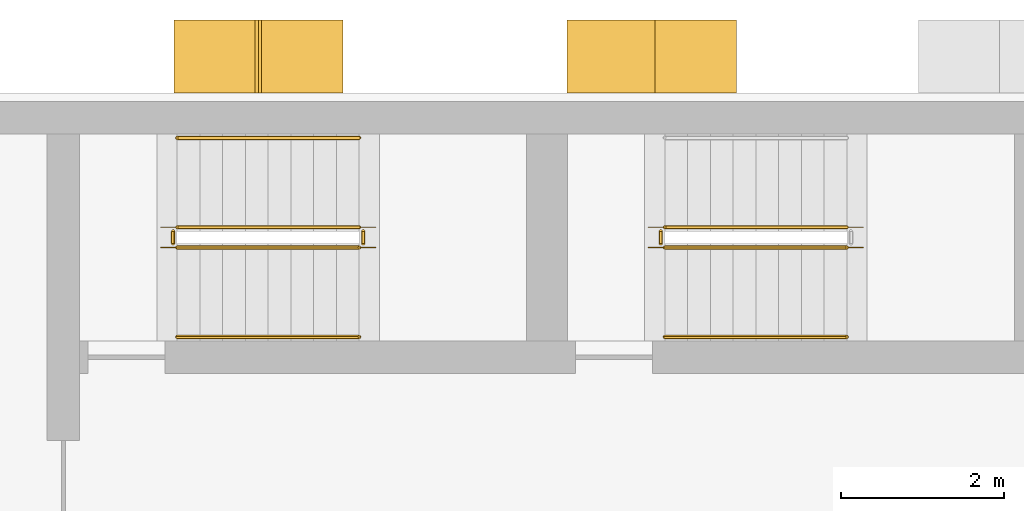
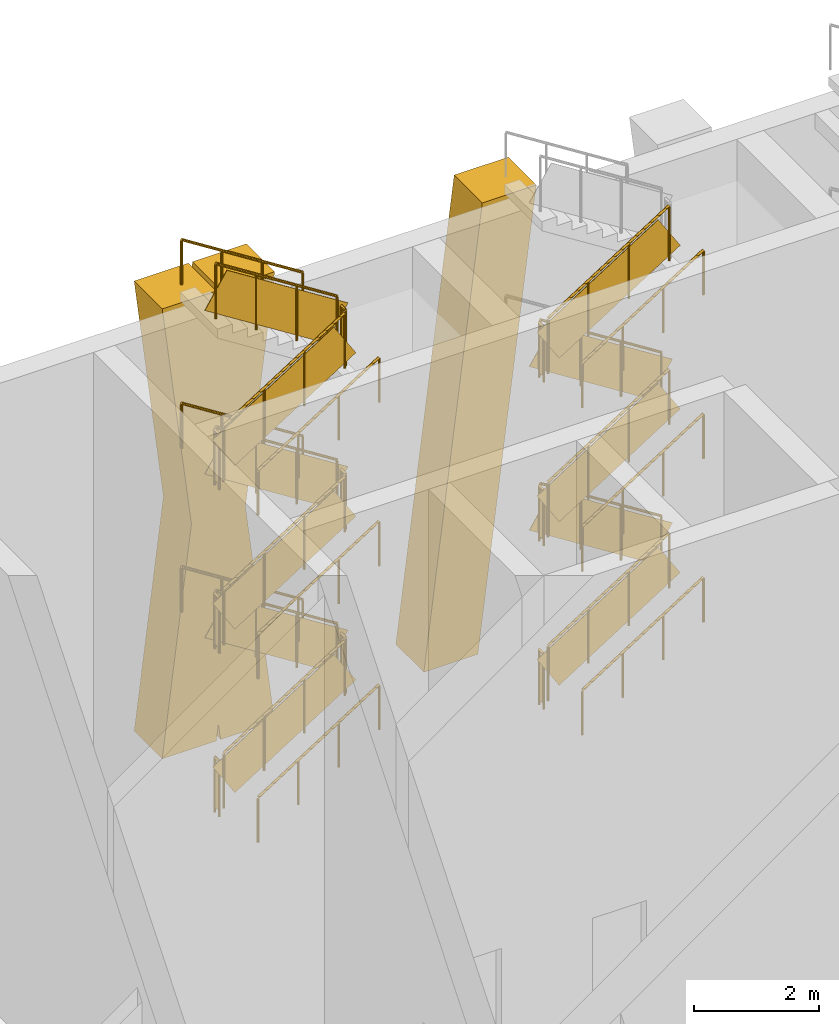
# One storey, part 7 of 9: 29 railings, 2 shading devices.
"""IFC4 building model written with IfcOpenShell, lengths in metres."""

from ifc_helpers import new_model, si_unit, direction, frame, origin, origin_2d, place, context, subcontext, project, spatial, polyline, rectangle, circle, outline, extrude, material, layer, layer_set, type_object, element, save


model = new_model("IFC4")

# Units and contexts
model_context = context("Model", 3, precision=1e-05, world=origin(), true_north=direction((0.0, 1.0)))
body_context = subcontext(model_context, "Body", "Model", "MODEL_VIEW")
ifc_project = project(units=[si_unit("LENGTHUNIT", "METRE"), si_unit("AREAUNIT", "SQUARE_METRE"), si_unit("VOLUMEUNIT", "CUBIC_METRE"), si_unit("PLANEANGLEUNIT", "RADIAN"), si_unit("MASSUNIT", "GRAM", prefix="KILO")], contexts=[model_context])

# Site, building, storey
site_placement = place(None, origin())
site = spatial("IfcSite", under=ifc_project, at=site_placement, CompositionType="ELEMENT")
building_placement = place(site_placement, origin())
building = spatial("IfcBuilding", under=site, at=building_placement, Name="Vidyagriha Tower", CompositionType="ELEMENT")
storey_placement = place(building_placement, frame((0.0, 0.0, 194.10009765625)))
storey = spatial("IfcBuildingStorey", under=building, at=storey_placement, Name="L51", CompositionType="ELEMENT", Elevation=194.10009765625)

# Shading devices
ifc_material_1 = material(Name="Precast concrete C40/50 with brick facing", Category="concrete")
ifc_layer_1 = layer(ifc_material_1, 1.0)
ifc_layer_set_1 = layer_set([ifc_layer_1], Name="Precast concrete C40/50 with brick facing")
shading_device_type_1 = type_object("IfcShadingDeviceType", Name="Brick-faced rear rib arm leaning 8 degrees", PredefinedType="USERDEFINED", material=ifc_layer_set_1)
shading_device_1_placement = place(storey_placement, frame((-1.1201171875, 20.449951171875, 0.0), z_axis=(0.0, 0.0, 1.0), x_axis=(-1.0, 0.0, 0.0)))
element("IfcShadingDevice", 1, at=shading_device_1_placement, inside=storey, type_object=shading_device_type_1, Name="Rear rib arm L51 R08.3b", ObjectType="BLADE FIN", PredefinedType="USERDEFINED", context=body_context, shape_type="SweptSolid", body=[
    extrude(outline(polyline([(1.080078125, 0.0), (2.080078125, 0.0), (1.0, 8.7998046875), (0.0, 8.7998046875), (1.080078125, 0.0)])), frame((0.0, 0.449951171875, 0.0), z_axis=(0.0, -1.0, 0.0), x_axis=(1.0, 0.0, 0.0)), (0.0, 0.0, 1.0), 0.89990234375),
])
ifc_material_2 = material(Name="Precast concrete C40/50 with brick facing", Category="concrete")
ifc_layer_2 = layer(ifc_material_2, 1.0)
ifc_layer_set_2 = layer_set([ifc_layer_2], Name="Precast concrete C40/50 with brick facing")
shading_device_type_2 = type_object("IfcShadingDeviceType", Name="Brick-faced rear rib forking 8 degrees", PredefinedType="USERDEFINED", material=ifc_layer_set_2)
shading_device_2_placement = place(storey_placement, frame((-5.9599609375, 20.449951171875, 0.0), z_axis=(0.0, 0.0, 1.0), x_axis=(-1.0, 0.0, 0.0)))
element("IfcShadingDevice", 2, at=shading_device_2_placement, inside=storey, type_object=shading_device_type_2, Name="Rear rib fork L51 R08.4a", ObjectType="BLADE FIN", PredefinedType="USERDEFINED", context=body_context, shape_type="SweptSolid", body=[
    extrude(outline(polyline([(1.0, 0.0), (1.0400390625, 0.32568359375), (1.080078125, 0.0), (2.080078125, 0.0), (1.5400390625, 4.39990234375), (2.080078125, 8.7998046875), (1.080078125, 8.7998046875), (1.0400390625, 8.47412109375), (1.0, 8.7998046875), (0.0, 8.7998046875), (0.5400390625, 4.39990234375), (0.0, 0.0), (1.0, 0.0)])), frame((0.0, 0.449951171875, 0.0), z_axis=(0.0, -1.0, 0.0), x_axis=(1.0, 0.0, 0.0)), (0.0, 0.0, 1.0), 0.89990234375),
])

# Railings
ifc_material_3 = material(Name="Steel ASTM A500 Grade C", Category="steel")
railing_type_1 = type_object("IfcRailingType", Name="Stair guard 1100 mm, steel balustrade", PredefinedType="GUARDRAIL", material=ifc_material_3)
railing_1_placement = place(storey_placement, frame((-8.0, 18.10009765625, 0.177734375)))
element("IfcRailing", 3, at=railing_1_placement, inside=storey, type_object=railing_type_1, Name="L51 ST1 stair guard 1", PredefinedType="GUARDRAIL", context=body_context, shape_type="SweptSolid", body=[
    extrude(circle(Radius=0.02392578125, at=origin_2d()), frame((0.0, 0.0, 1.076171875), z_axis=(0.8442293374, 0.0, 0.53598211339), x_axis=(0.0, 1.0, 0.0)), (0.0, 0.0, 1.0), 2.6533203125),
    extrude(circle(Radius=0.02099609375, at=origin_2d()), origin(), (0.0, 0.0, 1.0), 1.052001953125),
    extrude(circle(Radius=0.02099609375, at=origin_2d()), frame((0.74658203125, 0.0, 0.47412109375)), (0.0, 0.0, 1.0), 1.052001953125),
    extrude(circle(Radius=0.02099609375, at=origin_2d()), frame((1.493408203125, 0.0, 0.947998046875)), (0.0, 0.0, 1.0), 1.052001953125),
    extrude(circle(Radius=0.02099609375, at=origin_2d()), frame((2.239990234375, 0.0, 1.422119140625)), (0.0, 0.0, 1.0), 1.052001953125),
    extrude(rectangle(XDim=0.010009765625, YDim=0.761474609375, at=origin_2d()), frame((0.0, 0.0, 0.551025390625), z_axis=(0.8442293374, 0.0, 0.53598211339), x_axis=(0.0, 1.0, 0.0)), (0.0, 0.0, 1.0), 2.6533203125),
])
railing_2_placement = place(storey_placement, frame((-5.7099609375, 18.14990234375, 1.599853515625)))
element("IfcRailing", 4, at=railing_2_placement, inside=storey, type_object=railing_type_1, Name="L51 ST1 stair guard 2", PredefinedType="GUARDRAIL", context=body_context, shape_type="SweptSolid", body=[
    extrude(circle(Radius=0.02392578125, at=origin_2d()), frame((0.0, 0.0, 1.076171875), z_axis=(0.0, 1.0, 0.0), x_axis=(-1.0, 0.0, 0.0)), (0.0, 0.0, 1.0), 0.150146484375),
    extrude(circle(Radius=0.02099609375, at=origin_2d()), origin(), (0.0, 0.0, 1.0), 1.052001953125),
    extrude(circle(Radius=0.02099609375, at=origin_2d()), frame((0.0, 0.150146484375, 0.0)), (0.0, 0.0, 1.0), 1.052001953125),
    extrude(rectangle(XDim=0.010009765625, YDim=0.902099609375, at=origin_2d()), frame((0.0, 0.0, 0.551025390625), z_axis=(0.0, 1.0, 0.0), x_axis=(-1.0, 0.0, 0.0)), (0.0, 0.0, 1.0), 0.150146484375),
])
railing_3_placement = place(storey_placement, frame((-5.760009765625, 18.35009765625, 1.777587890625)))
element("IfcRailing", 5, at=railing_3_placement, inside=storey, type_object=railing_type_1, Name="L51 ST1 stair guard 3", PredefinedType="GUARDRAIL", context=body_context, shape_type="SweptSolid", body=[
    extrude(circle(Radius=0.02392578125, at=origin_2d()), frame((0.0, 0.0, 1.076171875), z_axis=(-0.84418770128, 0.0, 0.536047689118), x_axis=(0.0, -1.0, 0.0)), (0.0, 0.0, 1.0), 2.6533203125),
    extrude(circle(Radius=0.02099609375, at=origin_2d()), origin(), (0.0, 0.0, 1.0), 1.052001953125),
    extrude(circle(Radius=0.02099609375, at=origin_2d()), frame((-0.74658203125, 0.0, 0.47412109375)), (0.0, 0.0, 1.0), 1.052001953125),
    extrude(circle(Radius=0.02099609375, at=origin_2d()), frame((-1.493408203125, 0.0, 0.9482421875)), (0.0, 0.0, 1.0), 1.052001953125),
    extrude(circle(Radius=0.02099609375, at=origin_2d()), frame((-2.239990234375, 0.0, 1.42236328125)), (0.0, 0.0, 1.0), 1.052001953125),
    extrude(rectangle(XDim=0.010009765625, YDim=0.761474609375, at=origin_2d()), frame((0.0, 0.0, 0.551025390625), z_axis=(-0.84418770128, 0.0, 0.536047689118), x_axis=(0.0, -1.0, 0.0)), (0.0, 0.0, 1.0), 2.6533203125),
])
railing_4_placement = place(storey_placement, frame((-8.050048828125, 18.14990234375, 3.199951171875)))
element("IfcRailing", 6, at=railing_4_placement, inside=storey, type_object=railing_type_1, Name="L51 ST1 stair guard 4", PredefinedType="GUARDRAIL", context=body_context, shape_type="SweptSolid", body=[
    extrude(circle(Radius=0.02392578125, at=origin_2d()), frame((0.0, 0.0, 1.076171875), z_axis=(0.0, 1.0, 0.0), x_axis=(-1.0, 0.0, 0.0)), (0.0, 0.0, 1.0), 0.150146484375),
    extrude(circle(Radius=0.02099609375, at=origin_2d()), origin(), (0.0, 0.0, 1.0), 1.052001953125),
    extrude(circle(Radius=0.02099609375, at=origin_2d()), frame((0.0, 0.150146484375, 0.0)), (0.0, 0.0, 1.0), 1.052001953125),
    extrude(rectangle(XDim=0.010009765625, YDim=0.902099609375, at=origin_2d()), frame((0.0, 0.0, 0.551025390625), z_axis=(0.0, 1.0, 0.0), x_axis=(-1.0, 0.0, 0.0)), (0.0, 0.0, 1.0), 0.150146484375),
])
railing_5_placement = place(storey_placement, frame((-8.0, 18.10009765625, 3.377685546875)))
element("IfcRailing", 7, at=railing_5_placement, inside=storey, type_object=railing_type_1, Name="L51 ST1 stair guard 5", PredefinedType="GUARDRAIL", context=body_context, shape_type="SweptSolid", body=[
    extrude(circle(Radius=0.02392578125, at=origin_2d()), frame((0.0, 0.0, 1.076171875), z_axis=(0.8442293374, 0.0, 0.53598211339), x_axis=(0.0, 1.0, 0.0)), (0.0, 0.0, 1.0), 2.6533203125),
    extrude(circle(Radius=0.02099609375, at=origin_2d()), origin(), (0.0, 0.0, 1.0), 1.052001953125),
    extrude(circle(Radius=0.02099609375, at=origin_2d()), frame((0.74658203125, 0.0, 0.47412109375)), (0.0, 0.0, 1.0), 1.052001953125),
    extrude(circle(Radius=0.02099609375, at=origin_2d()), frame((1.493408203125, 0.0, 0.947998046875)), (0.0, 0.0, 1.0), 1.052001953125),
    extrude(circle(Radius=0.02099609375, at=origin_2d()), frame((2.239990234375, 0.0, 1.422119140625)), (0.0, 0.0, 1.0), 1.052001953125),
    extrude(rectangle(XDim=0.010009765625, YDim=0.761474609375, at=origin_2d()), frame((0.0, 0.0, 0.551025390625), z_axis=(0.8442293374, 0.0, 0.53598211339), x_axis=(0.0, 1.0, 0.0)), (0.0, 0.0, 1.0), 2.6533203125),
])
railing_6_placement = place(storey_placement, frame((-5.7099609375, 18.14990234375, 4.7998046875)))
element("IfcRailing", 8, at=railing_6_placement, inside=storey, type_object=railing_type_1, Name="L51 ST1 stair guard 6", PredefinedType="GUARDRAIL", context=body_context, shape_type="SweptSolid", body=[
    extrude(circle(Radius=0.02392578125, at=origin_2d()), frame((0.0, 0.0, 1.076171875), z_axis=(0.0, 1.0, 0.0), x_axis=(-1.0, 0.0, 0.0)), (0.0, 0.0, 1.0), 0.150146484375),
    extrude(circle(Radius=0.02099609375, at=origin_2d()), origin(), (0.0, 0.0, 1.0), 1.052001953125),
    extrude(circle(Radius=0.02099609375, at=origin_2d()), frame((0.0, 0.150146484375, 0.0)), (0.0, 0.0, 1.0), 1.052001953125),
    extrude(rectangle(XDim=0.010009765625, YDim=0.902099609375, at=origin_2d()), frame((0.0, 0.0, 0.551025390625), z_axis=(0.0, 1.0, 0.0), x_axis=(-1.0, 0.0, 0.0)), (0.0, 0.0, 1.0), 0.150146484375),
])
railing_7_placement = place(storey_placement, frame((-5.760009765625, 18.35009765625, 4.977783203125)))
element("IfcRailing", 9, at=railing_7_placement, inside=storey, type_object=railing_type_1, Name="L51 ST1 stair guard 7", PredefinedType="GUARDRAIL", context=body_context, shape_type="SweptSolid", body=[
    extrude(circle(Radius=0.02392578125, at=origin_2d()), frame((0.0, 0.0, 1.076171875), z_axis=(-0.8442293374, 0.0, 0.53598211339), x_axis=(0.0, -1.0, 0.0)), (0.0, 0.0, 1.0), 2.6533203125),
    extrude(circle(Radius=0.02099609375, at=origin_2d()), origin(), (0.0, 0.0, 1.0), 1.052001953125),
    extrude(circle(Radius=0.02099609375, at=origin_2d()), frame((-0.74658203125, 0.0, 0.47412109375)), (0.0, 0.0, 1.0), 1.052001953125),
    extrude(circle(Radius=0.02099609375, at=origin_2d()), frame((-1.493408203125, 0.0, 0.947998046875)), (0.0, 0.0, 1.0), 1.052001953125),
    extrude(circle(Radius=0.02099609375, at=origin_2d()), frame((-2.239990234375, 0.0, 1.422119140625)), (0.0, 0.0, 1.0), 1.052001953125),
    extrude(rectangle(XDim=0.010009765625, YDim=0.761474609375, at=origin_2d()), frame((0.0, 0.0, 0.551025390625), z_axis=(-0.8442293374, 0.0, 0.53598211339), x_axis=(0.0, -1.0, 0.0)), (0.0, 0.0, 1.0), 2.6533203125),
])
railing_8_placement = place(storey_placement, frame((-8.050048828125, 18.14990234375, 6.39990234375)))
element("IfcRailing", 10, at=railing_8_placement, inside=storey, type_object=railing_type_1, Name="L51 ST1 stair guard 8", PredefinedType="GUARDRAIL", context=body_context, shape_type="SweptSolid", body=[
    extrude(circle(Radius=0.02392578125, at=origin_2d()), frame((0.0, 0.0, 1.076171875), z_axis=(0.0, 1.0, 0.0), x_axis=(-1.0, 0.0, 0.0)), (0.0, 0.0, 1.0), 0.150146484375),
    extrude(circle(Radius=0.02099609375, at=origin_2d()), origin(), (0.0, 0.0, 1.0), 1.052001953125),
    extrude(circle(Radius=0.02099609375, at=origin_2d()), frame((0.0, 0.150146484375, 0.0)), (0.0, 0.0, 1.0), 1.052001953125),
    extrude(rectangle(XDim=0.010009765625, YDim=0.902099609375, at=origin_2d()), frame((0.0, 0.0, 0.551025390625), z_axis=(0.0, 1.0, 0.0), x_axis=(-1.0, 0.0, 0.0)), (0.0, 0.0, 1.0), 0.150146484375),
])
railing_9_placement = place(storey_placement, frame((-8.0, 18.10009765625, 6.57763671875)))
element("IfcRailing", 11, at=railing_9_placement, inside=storey, type_object=railing_type_1, Name="L51 ST1 stair guard 9", PredefinedType="GUARDRAIL", context=body_context, shape_type="SweptSolid", body=[
    extrude(circle(Radius=0.02392578125, at=origin_2d()), frame((0.0, 0.0, 1.076171875), z_axis=(0.84418770128, 0.0, 0.536047689118), x_axis=(0.0, 1.0, 0.0)), (0.0, 0.0, 1.0), 2.6533203125),
    extrude(circle(Radius=0.02099609375, at=origin_2d()), origin(), (0.0, 0.0, 1.0), 1.052001953125),
    extrude(circle(Radius=0.02099609375, at=origin_2d()), frame((0.74658203125, 0.0, 0.47412109375)), (0.0, 0.0, 1.0), 1.052001953125),
    extrude(circle(Radius=0.02099609375, at=origin_2d()), frame((1.493408203125, 0.0, 0.9482421875)), (0.0, 0.0, 1.0), 1.052001953125),
    extrude(circle(Radius=0.02099609375, at=origin_2d()), frame((2.239990234375, 0.0, 1.42236328125)), (0.0, 0.0, 1.0), 1.052001953125),
    extrude(rectangle(XDim=0.010009765625, YDim=0.761474609375, at=origin_2d()), frame((0.0, 0.0, 0.551025390625), z_axis=(0.84418770128, 0.0, 0.536047689118), x_axis=(0.0, 1.0, 0.0)), (0.0, 0.0, 1.0), 2.6533203125),
])
railing_10_placement = place(storey_placement, frame((-5.7099609375, 18.14990234375, 8.0)))
element("IfcRailing", 12, at=railing_10_placement, inside=storey, type_object=railing_type_1, Name="L51 ST1 stair guard 10", PredefinedType="GUARDRAIL", context=body_context, shape_type="SweptSolid", body=[
    extrude(circle(Radius=0.02392578125, at=origin_2d()), frame((0.0, 0.0, 1.076171875), z_axis=(0.0, 1.0, 0.0), x_axis=(-1.0, 0.0, 0.0)), (0.0, 0.0, 1.0), 0.150146484375),
    extrude(circle(Radius=0.02099609375, at=origin_2d()), origin(), (0.0, 0.0, 1.0), 1.052001953125),
    extrude(circle(Radius=0.02099609375, at=origin_2d()), frame((0.0, 0.150146484375, 0.0)), (0.0, 0.0, 1.0), 1.052001953125),
    extrude(rectangle(XDim=0.010009765625, YDim=0.902099609375, at=origin_2d()), frame((0.0, 0.0, 0.551025390625), z_axis=(0.0, 1.0, 0.0), x_axis=(-1.0, 0.0, 0.0)), (0.0, 0.0, 1.0), 0.150146484375),
])
railing_11_placement = place(storey_placement, frame((-5.760009765625, 18.35009765625, 8.177734375)))
element("IfcRailing", 13, at=railing_11_placement, inside=storey, type_object=railing_type_1, Name="L51 ST1 stair guard 11", PredefinedType="GUARDRAIL", context=body_context, shape_type="SweptSolid", body=[
    extrude(circle(Radius=0.02392578125, at=origin_2d()), frame((0.0, 0.0, 1.076171875), z_axis=(-0.8442293374, 0.0, 0.53598211339), x_axis=(0.0, -1.0, 0.0)), (0.0, 0.0, 1.0), 2.6533203125),
    extrude(circle(Radius=0.02099609375, at=origin_2d()), origin(), (0.0, 0.0, 1.0), 1.052001953125),
    extrude(circle(Radius=0.02099609375, at=origin_2d()), frame((-0.74658203125, 0.0, 0.47412109375)), (0.0, 0.0, 1.0), 1.052001953125),
    extrude(circle(Radius=0.02099609375, at=origin_2d()), frame((-1.493408203125, 0.0, 0.947998046875)), (0.0, 0.0, 1.0), 1.052001953125),
    extrude(circle(Radius=0.02099609375, at=origin_2d()), frame((-2.239990234375, 0.0, 1.422119140625)), (0.0, 0.0, 1.0), 1.052001953125),
    extrude(rectangle(XDim=0.010009765625, YDim=0.761474609375, at=origin_2d()), frame((0.0, 0.0, 0.551025390625), z_axis=(-0.8442293374, 0.0, 0.53598211339), x_axis=(0.0, -1.0, 0.0)), (0.0, 0.0, 1.0), 2.6533203125),
])
railing_12_placement = place(storey_placement, frame((-8.050048828125, 18.14990234375, 0.0)))
element("IfcRailing", 14, at=railing_12_placement, inside=storey, type_object=railing_type_1, Name="L51 ST1 stair guard 12", PredefinedType="GUARDRAIL", context=body_context, shape_type="SweptSolid", body=[
    extrude(circle(Radius=0.02392578125, at=origin_2d()), frame((0.0, 0.0, 1.076171875), z_axis=(0.0, 1.0, 0.0), x_axis=(-1.0, 0.0, 0.0)), (0.0, 0.0, 1.0), 0.150146484375),
    extrude(circle(Radius=0.02099609375, at=origin_2d()), origin(), (0.0, 0.0, 1.0), 1.052001953125),
    extrude(circle(Radius=0.02099609375, at=origin_2d()), frame((0.0, 0.150146484375, 0.0)), (0.0, 0.0, 1.0), 1.052001953125),
    extrude(rectangle(XDim=0.010009765625, YDim=0.902099609375, at=origin_2d()), frame((0.0, 0.0, 0.551025390625), z_axis=(0.0, 1.0, 0.0), x_axis=(-1.0, 0.0, 0.0)), (0.0, 0.0, 1.0), 0.150146484375),
])
railing_13_placement = place(storey_placement, frame((-2.0, 18.10009765625, 0.177734375)))
element("IfcRailing", 15, at=railing_13_placement, inside=storey, type_object=railing_type_1, Name="L51 ST2 stair guard 1", PredefinedType="GUARDRAIL", context=body_context, shape_type="SweptSolid", body=[
    extrude(circle(Radius=0.02392578125, at=origin_2d()), frame((0.0, 0.0, 1.076171875), z_axis=(0.8442293374, 0.0, 0.53598211339), x_axis=(0.0, 1.0, 0.0)), (0.0, 0.0, 1.0), 2.6533203125),
    extrude(circle(Radius=0.02099609375, at=origin_2d()), origin(), (0.0, 0.0, 1.0), 1.052001953125),
    extrude(circle(Radius=0.02099609375, at=origin_2d()), frame((0.74658203125, 0.0, 0.47412109375)), (0.0, 0.0, 1.0), 1.052001953125),
    extrude(circle(Radius=0.02099609375, at=origin_2d()), frame((1.493408203125, 0.0, 0.947998046875)), (0.0, 0.0, 1.0), 1.052001953125),
    extrude(circle(Radius=0.02099609375, at=origin_2d()), frame((2.239990234375, 0.0, 1.422119140625)), (0.0, 0.0, 1.0), 1.052001953125),
    extrude(rectangle(XDim=0.010009765625, YDim=0.761474609375, at=origin_2d()), frame((0.0, 0.0, 0.551025390625), z_axis=(0.8442293374, 0.0, 0.53598211339), x_axis=(0.0, 1.0, 0.0)), (0.0, 0.0, 1.0), 2.6533203125),
])
railing_14_placement = place(storey_placement, frame((0.239990234375, 18.35009765625, 1.777587890625)))
element("IfcRailing", 16, at=railing_14_placement, inside=storey, type_object=railing_type_1, Name="L51 ST2 stair guard 3", PredefinedType="GUARDRAIL", context=body_context, shape_type="SweptSolid", body=[
    extrude(circle(Radius=0.02392578125, at=origin_2d()), frame((0.0, 0.0, 1.076171875), z_axis=(-0.84418770128, 0.0, 0.536047689118), x_axis=(0.0, -1.0, 0.0)), (0.0, 0.0, 1.0), 2.6533203125),
    extrude(circle(Radius=0.02099609375, at=origin_2d()), origin(), (0.0, 0.0, 1.0), 1.052001953125),
    extrude(circle(Radius=0.02099609375, at=origin_2d()), frame((-0.74658203125, 0.0, 0.47412109375)), (0.0, 0.0, 1.0), 1.052001953125),
    extrude(circle(Radius=0.02099609375, at=origin_2d()), frame((-1.493408203125, 0.0, 0.9482421875)), (0.0, 0.0, 1.0), 1.052001953125),
    extrude(circle(Radius=0.02099609375, at=origin_2d()), frame((-2.239990234375, 0.0, 1.42236328125)), (0.0, 0.0, 1.0), 1.052001953125),
    extrude(rectangle(XDim=0.010009765625, YDim=0.761474609375, at=origin_2d()), frame((0.0, 0.0, 0.551025390625), z_axis=(-0.84418770128, 0.0, 0.536047689118), x_axis=(0.0, -1.0, 0.0)), (0.0, 0.0, 1.0), 2.6533203125),
])
railing_15_placement = place(storey_placement, frame((-2.050048828125, 18.14990234375, 3.199951171875)))
element("IfcRailing", 17, at=railing_15_placement, inside=storey, type_object=railing_type_1, Name="L51 ST2 stair guard 4", PredefinedType="GUARDRAIL", context=body_context, shape_type="SweptSolid", body=[
    extrude(circle(Radius=0.02392578125, at=origin_2d()), frame((0.0, 0.0, 1.076171875), z_axis=(0.0, 1.0, 0.0), x_axis=(-1.0, 0.0, 0.0)), (0.0, 0.0, 1.0), 0.150146484375),
    extrude(circle(Radius=0.02099609375, at=origin_2d()), origin(), (0.0, 0.0, 1.0), 1.052001953125),
    extrude(circle(Radius=0.02099609375, at=origin_2d()), frame((0.0, 0.150146484375, 0.0)), (0.0, 0.0, 1.0), 1.052001953125),
    extrude(rectangle(XDim=0.010009765625, YDim=0.902099609375, at=origin_2d()), frame((0.0, 0.0, 0.551025390625), z_axis=(0.0, 1.0, 0.0), x_axis=(-1.0, 0.0, 0.0)), (0.0, 0.0, 1.0), 0.150146484375),
])
railing_16_placement = place(storey_placement, frame((-2.0, 18.10009765625, 3.377685546875)))
element("IfcRailing", 18, at=railing_16_placement, inside=storey, type_object=railing_type_1, Name="L51 ST2 stair guard 5", PredefinedType="GUARDRAIL", context=body_context, shape_type="SweptSolid", body=[
    extrude(circle(Radius=0.02392578125, at=origin_2d()), frame((0.0, 0.0, 1.076171875), z_axis=(0.8442293374, 0.0, 0.53598211339), x_axis=(0.0, 1.0, 0.0)), (0.0, 0.0, 1.0), 2.6533203125),
    extrude(circle(Radius=0.02099609375, at=origin_2d()), origin(), (0.0, 0.0, 1.0), 1.052001953125),
    extrude(circle(Radius=0.02099609375, at=origin_2d()), frame((0.74658203125, 0.0, 0.47412109375)), (0.0, 0.0, 1.0), 1.052001953125),
    extrude(circle(Radius=0.02099609375, at=origin_2d()), frame((1.493408203125, 0.0, 0.947998046875)), (0.0, 0.0, 1.0), 1.052001953125),
    extrude(circle(Radius=0.02099609375, at=origin_2d()), frame((2.239990234375, 0.0, 1.422119140625)), (0.0, 0.0, 1.0), 1.052001953125),
    extrude(rectangle(XDim=0.010009765625, YDim=0.761474609375, at=origin_2d()), frame((0.0, 0.0, 0.551025390625), z_axis=(0.8442293374, 0.0, 0.53598211339), x_axis=(0.0, 1.0, 0.0)), (0.0, 0.0, 1.0), 2.6533203125),
])
railing_17_placement = place(storey_placement, frame((0.239990234375, 18.35009765625, 4.977783203125)))
element("IfcRailing", 19, at=railing_17_placement, inside=storey, type_object=railing_type_1, Name="L51 ST2 stair guard 7", PredefinedType="GUARDRAIL", context=body_context, shape_type="SweptSolid", body=[
    extrude(circle(Radius=0.02392578125, at=origin_2d()), frame((0.0, 0.0, 1.076171875), z_axis=(-0.8442293374, 0.0, 0.53598211339), x_axis=(0.0, -1.0, 0.0)), (0.0, 0.0, 1.0), 2.6533203125),
    extrude(circle(Radius=0.02099609375, at=origin_2d()), origin(), (0.0, 0.0, 1.0), 1.052001953125),
    extrude(circle(Radius=0.02099609375, at=origin_2d()), frame((-0.74658203125, 0.0, 0.47412109375)), (0.0, 0.0, 1.0), 1.052001953125),
    extrude(circle(Radius=0.02099609375, at=origin_2d()), frame((-1.493408203125, 0.0, 0.947998046875)), (0.0, 0.0, 1.0), 1.052001953125),
    extrude(circle(Radius=0.02099609375, at=origin_2d()), frame((-2.239990234375, 0.0, 1.422119140625)), (0.0, 0.0, 1.0), 1.052001953125),
    extrude(rectangle(XDim=0.010009765625, YDim=0.761474609375, at=origin_2d()), frame((0.0, 0.0, 0.551025390625), z_axis=(-0.8442293374, 0.0, 0.53598211339), x_axis=(0.0, -1.0, 0.0)), (0.0, 0.0, 1.0), 2.6533203125),
])
railing_18_placement = place(storey_placement, frame((-2.050048828125, 18.14990234375, 6.39990234375)))
element("IfcRailing", 20, at=railing_18_placement, inside=storey, type_object=railing_type_1, Name="L51 ST2 stair guard 8", PredefinedType="GUARDRAIL", context=body_context, shape_type="SweptSolid", body=[
    extrude(circle(Radius=0.02392578125, at=origin_2d()), frame((0.0, 0.0, 1.076171875), z_axis=(0.0, 1.0, 0.0), x_axis=(-1.0, 0.0, 0.0)), (0.0, 0.0, 1.0), 0.150146484375),
    extrude(circle(Radius=0.02099609375, at=origin_2d()), origin(), (0.0, 0.0, 1.0), 1.052001953125),
    extrude(circle(Radius=0.02099609375, at=origin_2d()), frame((0.0, 0.150146484375, 0.0)), (0.0, 0.0, 1.0), 1.052001953125),
    extrude(rectangle(XDim=0.010009765625, YDim=0.902099609375, at=origin_2d()), frame((0.0, 0.0, 0.551025390625), z_axis=(0.0, 1.0, 0.0), x_axis=(-1.0, 0.0, 0.0)), (0.0, 0.0, 1.0), 0.150146484375),
])
railing_19_placement = place(storey_placement, frame((-2.0, 18.10009765625, 6.57763671875)))
element("IfcRailing", 21, at=railing_19_placement, inside=storey, type_object=railing_type_1, Name="L51 ST2 stair guard 9", PredefinedType="GUARDRAIL", context=body_context, shape_type="SweptSolid", body=[
    extrude(circle(Radius=0.02392578125, at=origin_2d()), frame((0.0, 0.0, 1.076171875), z_axis=(0.84418770128, 0.0, 0.536047689118), x_axis=(0.0, 1.0, 0.0)), (0.0, 0.0, 1.0), 2.6533203125),
    extrude(circle(Radius=0.02099609375, at=origin_2d()), origin(), (0.0, 0.0, 1.0), 1.052001953125),
    extrude(circle(Radius=0.02099609375, at=origin_2d()), frame((0.74658203125, 0.0, 0.47412109375)), (0.0, 0.0, 1.0), 1.052001953125),
    extrude(circle(Radius=0.02099609375, at=origin_2d()), frame((1.493408203125, 0.0, 0.9482421875)), (0.0, 0.0, 1.0), 1.052001953125),
    extrude(circle(Radius=0.02099609375, at=origin_2d()), frame((2.239990234375, 0.0, 1.42236328125)), (0.0, 0.0, 1.0), 1.052001953125),
    extrude(rectangle(XDim=0.010009765625, YDim=0.761474609375, at=origin_2d()), frame((0.0, 0.0, 0.551025390625), z_axis=(0.84418770128, 0.0, 0.536047689118), x_axis=(0.0, 1.0, 0.0)), (0.0, 0.0, 1.0), 2.6533203125),
])
railing_20_placement = place(storey_placement, frame((-2.050048828125, 18.14990234375, 0.0)))
element("IfcRailing", 22, at=railing_20_placement, inside=storey, type_object=railing_type_1, Name="L51 ST2 stair guard 12", PredefinedType="GUARDRAIL", context=body_context, shape_type="SweptSolid", body=[
    extrude(circle(Radius=0.02392578125, at=origin_2d()), frame((0.0, 0.0, 1.076171875), z_axis=(0.0, 1.0, 0.0), x_axis=(-1.0, 0.0, 0.0)), (0.0, 0.0, 1.0), 0.150146484375),
    extrude(circle(Radius=0.02099609375, at=origin_2d()), origin(), (0.0, 0.0, 1.0), 1.052001953125),
    extrude(circle(Radius=0.02099609375, at=origin_2d()), frame((0.0, 0.150146484375, 0.0)), (0.0, 0.0, 1.0), 1.052001953125),
    extrude(rectangle(XDim=0.010009765625, YDim=0.902099609375, at=origin_2d()), frame((0.0, 0.0, 0.551025390625), z_axis=(0.0, 1.0, 0.0), x_axis=(-1.0, 0.0, 0.0)), (0.0, 0.0, 1.0), 0.150146484375),
])
ifc_material_4 = material(Name="Steel ASTM A500 Grade C", Category="steel")
railing_type_2 = type_object("IfcRailingType", Name="Stair handrail 900 mm, steel", PredefinedType="HANDRAIL", material=ifc_material_4)
railing_21_placement = place(storey_placement, frame((-8.0, 17.0, 0.177734375)))
element("IfcRailing", 23, at=railing_21_placement, inside=storey, type_object=railing_type_2, Name="L51 ST1 stair handrail 1", PredefinedType="HANDRAIL", context=body_context, shape_type="SweptSolid", body=[
    extrude(circle(Radius=0.02392578125, at=origin_2d()), frame((0.0, 0.0, 0.8759765625), z_axis=(0.8442293374, 0.0, 0.53598211339), x_axis=(0.0, 1.0, 0.0)), (0.0, 0.0, 1.0), 2.6533203125),
    extrude(circle(Radius=0.02099609375, at=origin_2d()), origin(), (0.0, 0.0, 1.0), 0.851806640625),
    extrude(circle(Radius=0.02099609375, at=origin_2d()), frame((0.74658203125, 0.0, 0.47412109375)), (0.0, 0.0, 1.0), 0.851806640625),
    extrude(circle(Radius=0.02099609375, at=origin_2d()), frame((1.493408203125, 0.0, 0.947998046875)), (0.0, 0.0, 1.0), 0.851806640625),
    extrude(circle(Radius=0.02099609375, at=origin_2d()), frame((2.239990234375, 0.0, 1.422119140625)), (0.0, 0.0, 1.0), 0.851806640625),
])
railing_22_placement = place(storey_placement, frame((-5.760009765625, 19.449951171875, 1.777587890625)))
element("IfcRailing", 24, at=railing_22_placement, inside=storey, type_object=railing_type_2, Name="L51 ST1 stair handrail 2", PredefinedType="HANDRAIL", context=body_context, shape_type="SweptSolid", body=[
    extrude(circle(Radius=0.02392578125, at=origin_2d()), frame((0.0, 0.0, 0.8759765625), z_axis=(-0.84418770128, 0.0, 0.536047689118), x_axis=(0.0, -1.0, 0.0)), (0.0, 0.0, 1.0), 2.6533203125),
    extrude(circle(Radius=0.02099609375, at=origin_2d()), origin(), (0.0, 0.0, 1.0), 0.851806640625),
    extrude(circle(Radius=0.02099609375, at=origin_2d()), frame((-0.74658203125, 0.0, 0.47412109375)), (0.0, 0.0, 1.0), 0.851806640625),
    extrude(circle(Radius=0.02099609375, at=origin_2d()), frame((-1.493408203125, 0.0, 0.9482421875)), (0.0, 0.0, 1.0), 0.851806640625),
    extrude(circle(Radius=0.02099609375, at=origin_2d()), frame((-2.239990234375, 0.0, 1.42236328125)), (0.0, 0.0, 1.0), 0.851806640625),
])
railing_23_placement = place(storey_placement, frame((-8.0, 17.0, 3.377685546875)))
element("IfcRailing", 25, at=railing_23_placement, inside=storey, type_object=railing_type_2, Name="L51 ST1 stair handrail 3", PredefinedType="HANDRAIL", context=body_context, shape_type="SweptSolid", body=[
    extrude(circle(Radius=0.02392578125, at=origin_2d()), frame((0.0, 0.0, 0.8759765625), z_axis=(0.8442293374, 0.0, 0.53598211339), x_axis=(0.0, 1.0, 0.0)), (0.0, 0.0, 1.0), 2.6533203125),
    extrude(circle(Radius=0.02099609375, at=origin_2d()), origin(), (0.0, 0.0, 1.0), 0.851806640625),
    extrude(circle(Radius=0.02099609375, at=origin_2d()), frame((0.74658203125, 0.0, 0.47412109375)), (0.0, 0.0, 1.0), 0.851806640625),
    extrude(circle(Radius=0.02099609375, at=origin_2d()), frame((1.493408203125, 0.0, 0.947998046875)), (0.0, 0.0, 1.0), 0.851806640625),
    extrude(circle(Radius=0.02099609375, at=origin_2d()), frame((2.239990234375, 0.0, 1.422119140625)), (0.0, 0.0, 1.0), 0.851806640625),
])
railing_24_placement = place(storey_placement, frame((-5.760009765625, 19.449951171875, 4.977783203125)))
element("IfcRailing", 26, at=railing_24_placement, inside=storey, type_object=railing_type_2, Name="L51 ST1 stair handrail 4", PredefinedType="HANDRAIL", context=body_context, shape_type="SweptSolid", body=[
    extrude(circle(Radius=0.02392578125, at=origin_2d()), frame((0.0, 0.0, 0.8759765625), z_axis=(-0.8442293374, 0.0, 0.53598211339), x_axis=(0.0, -1.0, 0.0)), (0.0, 0.0, 1.0), 2.6533203125),
    extrude(circle(Radius=0.02099609375, at=origin_2d()), origin(), (0.0, 0.0, 1.0), 0.851806640625),
    extrude(circle(Radius=0.02099609375, at=origin_2d()), frame((-0.74658203125, 0.0, 0.47412109375)), (0.0, 0.0, 1.0), 0.851806640625),
    extrude(circle(Radius=0.02099609375, at=origin_2d()), frame((-1.493408203125, 0.0, 0.947998046875)), (0.0, 0.0, 1.0), 0.851806640625),
    extrude(circle(Radius=0.02099609375, at=origin_2d()), frame((-2.239990234375, 0.0, 1.422119140625)), (0.0, 0.0, 1.0), 0.851806640625),
])
railing_25_placement = place(storey_placement, frame((-8.0, 17.0, 6.57763671875)))
element("IfcRailing", 27, at=railing_25_placement, inside=storey, type_object=railing_type_2, Name="L51 ST1 stair handrail 5", PredefinedType="HANDRAIL", context=body_context, shape_type="SweptSolid", body=[
    extrude(circle(Radius=0.02392578125, at=origin_2d()), frame((0.0, 0.0, 0.8759765625), z_axis=(0.84418770128, 0.0, 0.536047689118), x_axis=(0.0, 1.0, 0.0)), (0.0, 0.0, 1.0), 2.6533203125),
    extrude(circle(Radius=0.02099609375, at=origin_2d()), origin(), (0.0, 0.0, 1.0), 0.851806640625),
    extrude(circle(Radius=0.02099609375, at=origin_2d()), frame((0.74658203125, 0.0, 0.47412109375)), (0.0, 0.0, 1.0), 0.851806640625),
    extrude(circle(Radius=0.02099609375, at=origin_2d()), frame((1.493408203125, 0.0, 0.9482421875)), (0.0, 0.0, 1.0), 0.851806640625),
    extrude(circle(Radius=0.02099609375, at=origin_2d()), frame((2.239990234375, 0.0, 1.42236328125)), (0.0, 0.0, 1.0), 0.851806640625),
])
railing_26_placement = place(storey_placement, frame((-5.760009765625, 19.449951171875, 8.177734375)))
element("IfcRailing", 28, at=railing_26_placement, inside=storey, type_object=railing_type_2, Name="L51 ST1 stair handrail 6", PredefinedType="HANDRAIL", context=body_context, shape_type="SweptSolid", body=[
    extrude(circle(Radius=0.02392578125, at=origin_2d()), frame((0.0, 0.0, 0.8759765625), z_axis=(-0.8442293374, 0.0, 0.53598211339), x_axis=(0.0, -1.0, 0.0)), (0.0, 0.0, 1.0), 2.6533203125),
    extrude(circle(Radius=0.02099609375, at=origin_2d()), origin(), (0.0, 0.0, 1.0), 0.851806640625),
    extrude(circle(Radius=0.02099609375, at=origin_2d()), frame((-0.74658203125, 0.0, 0.47412109375)), (0.0, 0.0, 1.0), 0.851806640625),
    extrude(circle(Radius=0.02099609375, at=origin_2d()), frame((-1.493408203125, 0.0, 0.947998046875)), (0.0, 0.0, 1.0), 0.851806640625),
    extrude(circle(Radius=0.02099609375, at=origin_2d()), frame((-2.239990234375, 0.0, 1.422119140625)), (0.0, 0.0, 1.0), 0.851806640625),
])
for number, where, name in (
    (29, (-2.0, 17.0, 0.177734375), "L51 ST2 stair handrail 1"),
    (30, (-2.0, 17.0, 3.377685546875), "L51 ST2 stair handrail 3"),
):
    element("IfcRailing", number, at=place(storey_placement, frame(where)), inside=storey, type_object=railing_type_2, Name=name, PredefinedType="HANDRAIL", context=body_context, shape_type="SweptSolid", body=[
        extrude(circle(Radius=0.02392578125, at=origin_2d()), frame((0.0, 0.0, 0.8759765625), z_axis=(0.8442293374, 0.0, 0.53598211339), x_axis=(0.0, 1.0, 0.0)), (0.0, 0.0, 1.0), 2.6533203125),
        extrude(circle(Radius=0.02099609375, at=origin_2d()), origin(), (0.0, 0.0, 1.0), 0.851806640625),
        extrude(circle(Radius=0.02099609375, at=origin_2d()), frame((0.74658203125, 0.0, 0.47412109375)), (0.0, 0.0, 1.0), 0.851806640625),
        extrude(circle(Radius=0.02099609375, at=origin_2d()), frame((1.493408203125, 0.0, 0.947998046875)), (0.0, 0.0, 1.0), 0.851806640625),
        extrude(circle(Radius=0.02099609375, at=origin_2d()), frame((2.239990234375, 0.0, 1.422119140625)), (0.0, 0.0, 1.0), 0.851806640625),
    ])
railing_27_placement = place(storey_placement, frame((-2.0, 17.0, 6.57763671875)))
element("IfcRailing", 31, at=railing_27_placement, inside=storey, type_object=railing_type_2, Name="L51 ST2 stair handrail 5", PredefinedType="HANDRAIL", context=body_context, shape_type="SweptSolid", body=[
    extrude(circle(Radius=0.02392578125, at=origin_2d()), frame((0.0, 0.0, 0.8759765625), z_axis=(0.84418770128, 0.0, 0.536047689118), x_axis=(0.0, 1.0, 0.0)), (0.0, 0.0, 1.0), 2.6533203125),
    extrude(circle(Radius=0.02099609375, at=origin_2d()), origin(), (0.0, 0.0, 1.0), 0.851806640625),
    extrude(circle(Radius=0.02099609375, at=origin_2d()), frame((0.74658203125, 0.0, 0.47412109375)), (0.0, 0.0, 1.0), 0.851806640625),
    extrude(circle(Radius=0.02099609375, at=origin_2d()), frame((1.493408203125, 0.0, 0.9482421875)), (0.0, 0.0, 1.0), 0.851806640625),
    extrude(circle(Radius=0.02099609375, at=origin_2d()), frame((2.239990234375, 0.0, 1.42236328125)), (0.0, 0.0, 1.0), 0.851806640625),
])

save(model, "model.ifc")
